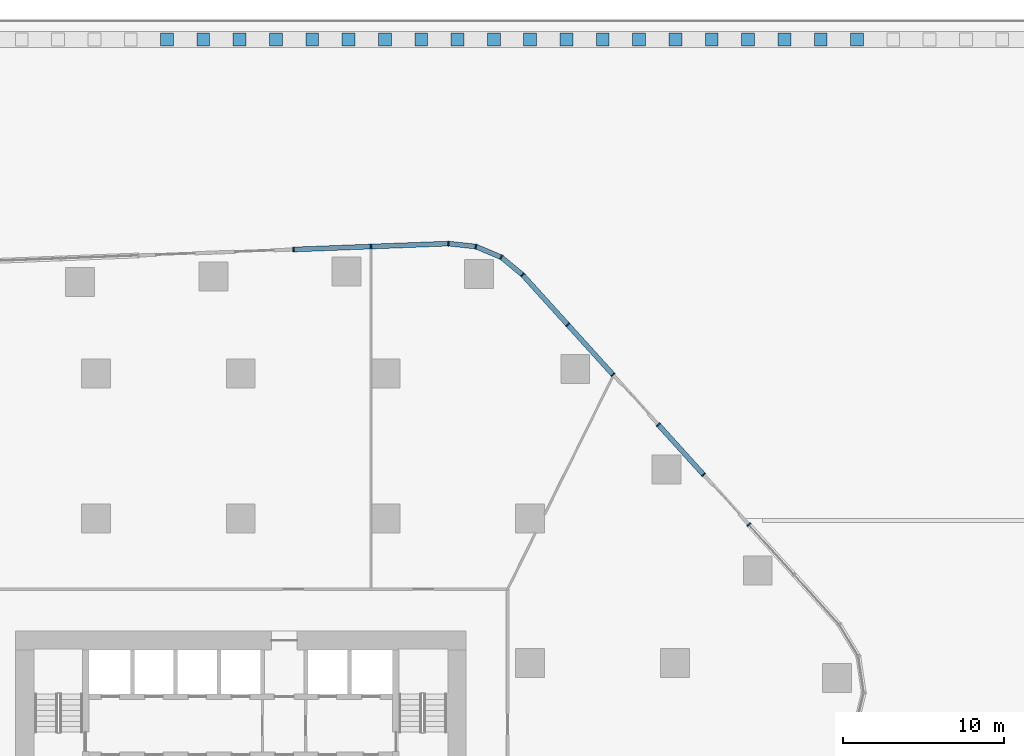
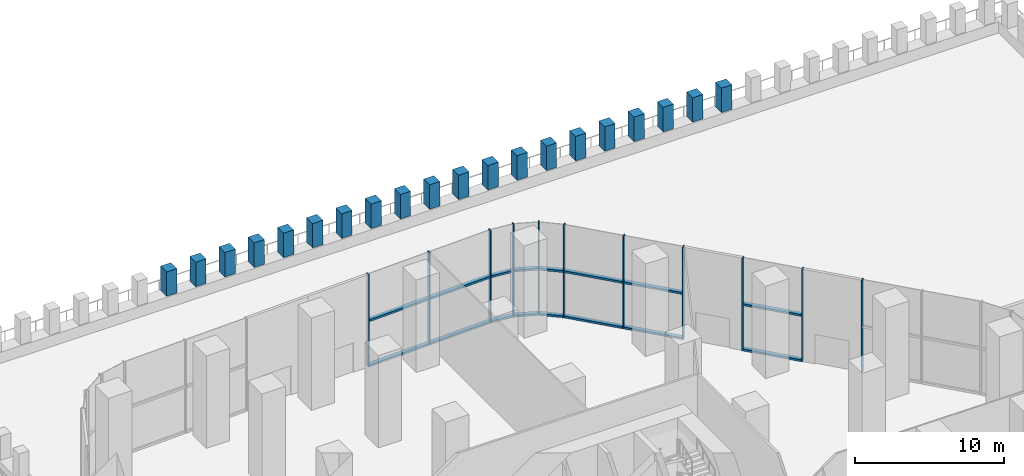
# One storey, part 9 of 22: 47 members, 5 elements without a shape of their own.
"""IFC4 building model written with IfcOpenShell, lengths in metres."""

import ifcopenshell
import ifcopenshell.guid

model = None  # the IFC model being written
_history = None  # IfcOwnerHistory: only IFC2X3 demands one
_inside = {}  # id of a spatial element -> (the spatial element, [elements in it])
_under = {}  # id of a project, library or spatial element -> (it, [spatial elements below it])
_declared = {}  # id of a project -> (the project, [libraries it declares])
_typed = {}  # id of a type object -> (the type object, [elements of that type])
_made_of = {}  # id of a material, layer set ... -> (it, [elements and type objects made of it])


def new_model(schema):
    """Start an empty IFC model of exactly this schema.

    Asked for "IFC4X3", IfcOpenShell would pick the latest addendum, in which some entities
    have other attributes; the version numbers below select the first issue.
    IFC2X3 requires an IfcOwnerHistory on every rooted entity: one is made here for all.
    """
    global model, _history
    if schema == "IFC4X3":
        model = ifcopenshell.file(schema_version=(4, 3, 0, 0))
    else:
        model = ifcopenshell.file(schema=schema)
    _inside.clear()
    _under.clear()
    _declared.clear()
    _typed.clear()
    _made_of.clear()
    _history = None
    if model.schema == "IFC2X3":
        org = make("IfcOrganization", Name="unknown")
        user = make(
            "IfcPersonAndOrganization",
            ThePerson=make("IfcPerson", FamilyName="unknown"),
            TheOrganization=org,
        )
        app = make(
            "IfcApplication",
            ApplicationDeveloper=org,
            Version="unknown",
            ApplicationFullName="unknown",
            ApplicationIdentifier="unknown",
        )
        _history = make(
            "IfcOwnerHistory",
            OwningUser=user,
            OwningApplication=app,
            ChangeAction="ADDED",
            CreationDate=0,
        )
    return model


def make(cls, **values):
    """One entity of the class cls with the attributes given. An attribute that is None is left unset."""
    return model.create_entity(
        cls, **{name: value for name, value in values.items() if value is not None}
    )


def rooted(cls, **values):
    """An entity with a GlobalId (a new one), such as an element, a storey or a relation."""
    return make(cls, GlobalId=ifcopenshell.guid.new(), OwnerHistory=_history, **values)


def si_unit(unit_type, name, prefix=None):
    """IfcSIUnit, for example si_unit("LENGTHUNIT", "METRE", prefix="MILLI")."""
    return make("IfcSIUnit", UnitType=unit_type, Prefix=prefix, Name=name)


def assignment(units):
    """IfcUnitAssignment: the units of a project."""
    return None if units is None else make("IfcUnitAssignment", Units=units)


def point(xyz):
    """IfcCartesianPoint."""
    return None if xyz is None else make("IfcCartesianPoint", Coordinates=xyz)


def direction(xyz):
    """IfcDirection."""
    return None if xyz is None else make("IfcDirection", DirectionRatios=xyz)


def frame(location, z_axis=None, x_axis=None):
    """IfcAxis2Placement3D, a coordinate frame: its origin and axes. An axis left out is left unset."""
    return make(
        "IfcAxis2Placement3D",
        Location=point(location),
        Axis=direction(z_axis),
        RefDirection=direction(x_axis),
    )


def frame_2d(location, x_axis=None):
    """IfcAxis2Placement2D, a coordinate frame in the plane: its origin and x axis."""
    return make(
        "IfcAxis2Placement2D", Location=point(location), RefDirection=direction(x_axis)
    )


def origin():
    """The frame at (0, 0, 0) with its axes left unset."""
    return frame((0.0, 0.0, 0.0))


def origin_2d():
    """The frame at (0, 0) in the plane with its x axis left unset."""
    return frame_2d((0.0, 0.0))


def place(relative_to, where):
    """IfcLocalPlacement: puts the frame where relative to a parent placement (None: the world)."""
    return make(
        "IfcLocalPlacement", PlacementRelTo=relative_to, RelativePlacement=where
    )


def context(
    kind, dimensions, precision=None, world=None, true_north=None, identifier=None
):
    """IfcGeometricRepresentationContext, for example the 3D "Model" context."""
    return make(
        "IfcGeometricRepresentationContext",
        ContextIdentifier=identifier,
        ContextType=kind,
        CoordinateSpaceDimension=dimensions,
        Precision=precision,
        WorldCoordinateSystem=world,
        TrueNorth=true_north,
    )


def subcontext(parent, identifier, kind, view, scale=None):
    """IfcGeometricRepresentationSubContext, for example "Body" below "Model"."""
    return make(
        "IfcGeometricRepresentationSubContext",
        ContextIdentifier=identifier,
        ContextType=kind,
        ParentContext=parent,
        TargetScale=scale,
        TargetView=view,
    )


def project(units=None, contexts=None):
    """IfcProject with its units and contexts."""
    return rooted(
        "IfcProject",
        Name="project",
        RepresentationContexts=contexts,
        UnitsInContext=assignment(units),
    )


def spatial(cls, under=None, at=None, **own):
    """A site, building, storey or space (cls), placed at a placement, below another one or the project."""
    s = rooted(cls, ObjectPlacement=at, **own)
    if under is not None:
        _under.setdefault(under.id(), (under, []))[1].append(s)
    return s


def profile(cls, at=None, kind="AREA", **sizes):
    """A parametric profile (cls). Its sizes go by their IFC names, for example OverallWidth=200.0."""
    return make(cls, ProfileType=kind, Position=at, **sizes)


def rectangle(**sizes):
    """IfcRectangleProfileDef."""
    return profile("IfcRectangleProfileDef", **sizes)


def extrude(swept, where, along, depth):
    """IfcExtrudedAreaSolid: the profile swept, set in the frame where, extruded along a direction by depth."""
    return make(
        "IfcExtrudedAreaSolid",
        SweptArea=swept,
        Position=where,
        ExtrudedDirection=direction(along),
        Depth=depth,
    )


def shape(context_of_items, identifier, shape_type, items):
    """IfcShapeRepresentation: the items that make up one representation, for example the "Body"."""
    return make(
        "IfcShapeRepresentation",
        ContextOfItems=context_of_items,
        RepresentationIdentifier=identifier,
        RepresentationType=shape_type,
        Items=items,
    )


def material(Name=None, Category=None):
    """IfcMaterial."""
    return make("IfcMaterial", Name=Name, Category=Category)


def layer(
    of_material, thickness, ventilated=None, Name=None, Category=None, Priority=None
):
    """IfcMaterialLayer: one layer of a wall or slab, of a material (None: an air gap)."""
    return make(
        "IfcMaterialLayer",
        Material=of_material,
        LayerThickness=thickness,
        IsVentilated=ventilated,
        Name=Name,
        Category=Category,
        Priority=Priority,
    )


def layer_set(layers, Name=None):
    """IfcMaterialLayerSet."""
    return make("IfcMaterialLayerSet", MaterialLayers=layers, LayerSetName=Name)


def material_profile(
    of_material, cross_section, Name=None, Category=None, Priority=None
):
    """IfcMaterialProfile: a cross section and its material."""
    return make(
        "IfcMaterialProfile",
        Name=Name,
        Material=of_material,
        Profile=cross_section,
        Priority=Priority,
        Category=Category,
    )


def profile_set(profiles, Name=None, composite=None):
    """IfcMaterialProfileSet."""
    return make(
        "IfcMaterialProfileSet",
        Name=Name,
        MaterialProfiles=profiles,
        CompositeProfile=composite,
    )


def made_of(thing, what):
    """Note that an element or type object is made of a material, layer set ...; save() writes the relation."""
    if what is not None:
        _made_of.setdefault(what.id(), (what, []))[1].append(thing)
    return thing


def type_object(cls, material=None, **own):
    """A type object (cls), such as IfcWallType, which elements share."""
    return made_of(rooted(cls, **own), material)


def element(
    cls,
    number,
    at=None,
    inside=None,
    cuts=None,
    type_object=None,
    material=None,
    context=None,
    identifier="Body",
    shape_type=None,
    held_by="IfcProductDefinitionShape",
    body=None,
    shapes=None,
    **own,
):
    """One element of the class cls, such as IfcWall. Its Tag is "e" and its number.

    at: its placement. inside: the storey or other place that contains it. cuts: it is an
    opening in that element (IfcRelVoidsElement). A single representation is given by context,
    identifier, shape_type and body (its items); several are given by shapes. held_by: the class
    of the entity that holds the representations. save() writes the other relations.
    """
    e = rooted(cls, Tag="e%d" % number, ObjectPlacement=at, **own)
    if body is not None:
        shapes = [shape(context, identifier, shape_type, body)]
    if shapes is not None:
        e.Representation = make(held_by, Representations=shapes)
    if inside is not None:
        _inside.setdefault(inside.id(), (inside, []))[1].append(e)
    if cuts is not None:
        rooted(
            "IfcRelVoidsElement", RelatingBuildingElement=cuts, RelatedOpeningElement=e
        )
    if type_object is not None:
        _typed.setdefault(type_object.id(), (type_object, []))[1].append(e)
    return made_of(e, material)


def aggregate(whole, parts):
    """IfcRelAggregates: a whole, such as a stair, and the parts it consists of."""
    return rooted("IfcRelAggregates", RelatingObject=whole, RelatedObjects=parts)


def save(model, path):
    """Write the relations noted so far, then the file.

    IfcRelAggregates (storeys below a building ...), IfcRelContainedInSpatialStructure (elements
    in a storey), IfcRelDefinesByType, IfcRelAssociatesMaterial and IfcRelDeclares: one each for
    every whole, place, type object, material and project.
    """
    for whole, parts in _under.values():
        aggregate(whole, parts)
    for where, things in _inside.values():
        rooted(
            "IfcRelContainedInSpatialStructure",
            RelatedElements=things,
            RelatingStructure=where,
        )
    for kind, things in _typed.values():
        rooted("IfcRelDefinesByType", RelatedObjects=things, RelatingType=kind)
    for what, things in _made_of.values():
        rooted("IfcRelAssociatesMaterial", RelatedObjects=things, RelatingMaterial=what)
    for by, libraries in _declared.values():
        rooted("IfcRelDeclares", RelatingContext=by, RelatedDefinitions=libraries)
    model.write(path)


model = new_model("IFC4")

# Units and contexts
model_context = context("Model", 3, precision=1e-05, world=origin(), true_north=direction((0.0, 1.0)))
body_context = subcontext(model_context, "Body", "Model", "MODEL_VIEW")
ifc_project = project(units=[si_unit("LENGTHUNIT", "METRE"), si_unit("AREAUNIT", "SQUARE_METRE"), si_unit("VOLUMEUNIT", "CUBIC_METRE"), si_unit("PLANEANGLEUNIT", "RADIAN"), si_unit("MASSUNIT", "GRAM", prefix="KILO")], contexts=[model_context])

# Site, building, storey
site_placement = place(None, origin())
site = spatial("IfcSite", under=ifc_project, at=site_placement, CompositionType="ELEMENT")
building_placement = place(site_placement, origin())
building = spatial("IfcBuilding", under=site, at=building_placement, Name="Dongbaek Canopy Tower", CompositionType="ELEMENT")
storey_placement = place(building_placement, frame((0.0, 0.0, 19.0)))
storey = spatial("IfcBuildingStorey", under=building, at=storey_placement, Name="L02", CompositionType="ELEMENT", Elevation=19.0)

# Curtain wall, member
ifc_material_1 = material(Name="Aluminium 6063-T6 pale anodised", Category="aluminium")
ifc_layer = layer(ifc_material_1, 0.300048828125)
ifc_layer_set = layer_set([ifc_layer], Name="CW-2 podium hall curtain wall")
curtain_wall_type = type_object("IfcCurtainWallType", Name="CW-2 podium hall curtain wall", PredefinedType="NOTDEFINED", material=ifc_layer_set)
curtain_wall_1_placement = place(storey_placement, origin())
curtain_wall_1 = element("IfcCurtainWall", 1, at=curtain_wall_1_placement, inside=storey, type_object=curtain_wall_type, Name="CW-2 curtain wall F1.1", PredefinedType="NOTDEFINED")
ifc_material_2 = material(Name="Aluminium 6063-T6 pale anodised", Category="aluminium")
ifc_material_profile_1 = material_profile(ifc_material_2, rectangle(XDim=0.300048828125, YDim=0.080078125, at=origin_2d()), Name="CW-2 mullion 80 x 300")
ifc_profile_set_1 = profile_set([ifc_material_profile_1], Name="Aluminium 6063-T6 pale anodised")
member_type_1 = type_object("IfcMemberType", Name="CW-2 mullion 80 x 300", PredefinedType="MULLION", material=ifc_profile_set_1)
member_1_placement = place(storey_placement, frame((31.6015625, 17.609619140625, 0.0), z_axis=(0.0, 0.0, 1.0), x_axis=(0.741222236547, 0.671259708345, 0.0)))
member_1 = element("IfcMember", 2, at=member_1_placement, type_object=member_type_1, Name="CW-2 mullion F1.1.3", PredefinedType="MULLION", context=body_context, shape_type="SweptSolid", body=[
    extrude(rectangle(XDim=0.300048828125, YDim=0.080078125, at=origin_2d()), origin(), (0.0, 0.0, 1.0), 7.550048828125),
])
aggregate(curtain_wall_1, [member_1])

# Curtain wall, members
curtain_wall_2_placement = place(storey_placement, origin())
curtain_wall_2 = element("IfcCurtainWall", 3, at=curtain_wall_2_placement, inside=storey, type_object=curtain_wall_type, Name="CW-2 curtain wall F1.2", PredefinedType="NOTDEFINED")
member_2_placement = place(storey_placement, frame((28.78564453125, 20.718994140625, 0.0), z_axis=(0.0, 0.0, 1.0), x_axis=(0.741222236547, 0.671259708345, 0.0)))
member_2 = element("IfcMember", 4, at=member_2_placement, type_object=member_type_1, Name="CW-2 mullion F1.2.1", PredefinedType="MULLION", context=body_context, shape_type="SweptSolid", body=[
    extrude(rectangle(XDim=0.300048828125, YDim=0.080078125, at=origin_2d()), origin(), (0.0, 0.0, 1.0), 7.550048828125),
])
member_3_placement = place(storey_placement, frame((25.969482421875, 23.82861328125, 0.0), z_axis=(0.0, 0.0, 1.0), x_axis=(0.741222236547, 0.671259708345, 0.0)))
member_3 = element("IfcMember", 5, at=member_3_placement, type_object=member_type_1, Name="CW-2 mullion F1.2.2", PredefinedType="MULLION", context=body_context, shape_type="SweptSolid", body=[
    extrude(rectangle(XDim=0.300048828125, YDim=0.080078125, at=origin_2d()), origin(), (0.0, 0.0, 1.0), 7.550048828125),
])

curtain_wall_3_placement = place(storey_placement, origin())
curtain_wall_3 = element("IfcCurtainWall", 6, at=curtain_wall_3_placement, inside=storey, type_object=curtain_wall_type, Name="CW-2 curtain wall F1.3", PredefinedType="NOTDEFINED")
member_4_placement = place(storey_placement, frame((23.153564453125, 26.938232421875, 0.0), z_axis=(0.0, 0.0, 1.0), x_axis=(0.741222236547, 0.671259708345, 0.0)))
member_4 = element("IfcMember", 7, at=member_4_placement, type_object=member_type_1, Name="CW-2 mullion F1.3.1", PredefinedType="MULLION", context=body_context, shape_type="SweptSolid", body=[
    extrude(rectangle(XDim=0.300048828125, YDim=0.080078125, at=origin_2d()), origin(), (0.0, 0.0, 1.0), 7.550048828125),
])
member_5_placement = place(storey_placement, frame((20.33740234375, 30.047607421875, 0.0), z_axis=(0.0, 0.0, 1.0), x_axis=(0.741222236547, 0.671259708345, 0.0)))
member_5 = element("IfcMember", 8, at=member_5_placement, type_object=member_type_1, Name="CW-2 mullion F1.3.2", PredefinedType="MULLION", context=body_context, shape_type="SweptSolid", body=[
    extrude(rectangle(XDim=0.300048828125, YDim=0.080078125, at=origin_2d()), origin(), (0.0, 0.0, 1.0), 7.550048828125),
])
member_6_placement = place(storey_placement, frame((17.5263671875, 33.15185546875, 0.0), z_axis=(0.0, 0.0, 1.0), x_axis=(0.741222236547, 0.671259708345, 0.0)))
member_6 = element("IfcMember", 9, at=member_6_placement, type_object=member_type_1, Name="CW-2 mullion F1.3.3", PredefinedType="MULLION", context=body_context, shape_type="SweptSolid", body=[
    extrude(rectangle(XDim=0.300048828125, YDim=0.080078125, at=origin_2d()), origin(), (0.0, 0.0, 1.0), 7.550048828125),
])

curtain_wall_4_placement = place(storey_placement, origin())
curtain_wall_4 = element("IfcCurtainWall", 10, at=curtain_wall_4_placement, inside=storey, type_object=curtain_wall_type, Name="CW-2 curtain wall K2.1", PredefinedType="NOTDEFINED")
member_7_placement = place(storey_placement, frame((16.200439453125, 34.24462890625, 0.0), z_axis=(0.0, 0.0, 1.0), x_axis=(0.517430788753, 0.855725060315, 0.0)))
member_7 = element("IfcMember", 11, at=member_7_placement, type_object=member_type_1, Name="CW-2 mullion K2.1.2", PredefinedType="MULLION", context=body_context, shape_type="SweptSolid", body=[
    extrude(rectangle(XDim=0.300048828125, YDim=0.080078125, at=origin_2d()), origin(), (0.0, 0.0, 1.0), 7.550048828125),
])
member_8_placement = place(storey_placement, frame((14.62353515625, 34.908203125, 0.0), z_axis=(0.0, 0.0, 1.0), x_axis=(0.250118115276, 0.968215331634, 0.0)))
member_8 = element("IfcMember", 12, at=member_8_placement, type_object=member_type_1, Name="CW-2 mullion K2.1.3", PredefinedType="MULLION", context=body_context, shape_type="SweptSolid", body=[
    extrude(rectangle(XDim=0.300048828125, YDim=0.080078125, at=origin_2d()), origin(), (0.0, 0.0, 1.0), 7.550048828125),
])
member_9_placement = place(storey_placement, frame((12.915283203125, 35.092041015625, 0.0), z_axis=(0.0, 0.0, 1.0), x_axis=(0.107074580622, 0.994250991543, 0.0)))
member_9 = element("IfcMember", 13, at=member_9_placement, type_object=member_type_1, Name="CW-2 mullion K2.1.4", PredefinedType="MULLION", context=body_context, shape_type="SweptSolid", body=[
    extrude(rectangle(XDim=0.300048828125, YDim=0.080078125, at=origin_2d()), origin(), (0.0, 0.0, 1.0), 7.550048828125),
])

curtain_wall_5_placement = place(storey_placement, origin())
curtain_wall_5 = element("IfcCurtainWall", 14, at=curtain_wall_5_placement, inside=storey, type_object=curtain_wall_type, Name="CW-2 curtain wall F2.1", PredefinedType="NOTDEFINED")
member_10_placement = place(storey_placement, frame((8.0986328125, 34.907958984375, 0.0), z_axis=(0.0, 0.0, 1.0), x_axis=(-0.038231975991, 0.999268890746, 0.0)))
member_10 = element("IfcMember", 15, at=member_10_placement, type_object=member_type_1, Name="CW-2 mullion F2.1.2", PredefinedType="MULLION", context=body_context, shape_type="SweptSolid", body=[
    extrude(rectangle(XDim=0.300048828125, YDim=0.080078125, at=origin_2d()), origin(), (0.0, 0.0, 1.0), 7.550048828125),
])
member_11_placement = place(storey_placement, frame((3.27490234375, 34.723388671875, 0.0), z_axis=(0.0, 0.0, 1.0), x_axis=(-0.038231975991, 0.999268890746, 0.0)))
member_11 = element("IfcMember", 16, at=member_11_placement, type_object=member_type_1, Name="CW-2 mullion F2.1.3", PredefinedType="MULLION", context=body_context, shape_type="SweptSolid", body=[
    extrude(rectangle(XDim=0.300048828125, YDim=0.080078125, at=origin_2d()), origin(), (0.0, 0.0, 1.0), 7.550048828125),
])

# Member
ifc_material_3 = material(Name="Aluminium 6063-T6 pale anodised", Category="aluminium")
ifc_material_profile_2 = material_profile(ifc_material_3, rectangle(XDim=0.300048828125, YDim=0.159912109375, at=origin_2d()), Name="CW-2 transom 160 x 300")
ifc_profile_set_2 = profile_set([ifc_material_profile_2], Name="Aluminium 6063-T6 pale anodised")
member_type_2 = type_object("IfcMemberType", Name="CW-2 transom 160 x 300", PredefinedType="USERDEFINED", material=ifc_profile_set_2)
member_12_placement = place(storey_placement, frame((28.750732421875, 20.757568359375, 0.080078125), z_axis=(-0.671272628387, 0.741210535798, 0.0), x_axis=(-0.741210535798, -0.671272628387, 0.0)))
member_12 = element("IfcMember", 17, at=member_12_placement, type_object=member_type_2, Name="CW-2 transom F1.2.1.1", ObjectType="TRANSOM", PredefinedType="USERDEFINED", context=body_context, shape_type="SweptSolid", body=[
    extrude(rectangle(XDim=0.300048828125, YDim=0.159912109375, at=origin_2d()), origin(), (0.0, 0.0, 1.0), 4.09130859375),
])

member_13_placement = place(storey_placement, frame((28.750732421875, 20.757568359375, 3.77490234375), z_axis=(-0.671272628387, 0.741210535798, 0.0), x_axis=(-0.741210535798, -0.671272628387, 0.0)))
member_13 = element("IfcMember", 18, at=member_13_placement, type_object=member_type_2, Name="CW-2 transom F1.2.1.2", ObjectType="TRANSOM", PredefinedType="USERDEFINED", context=body_context, shape_type="SweptSolid", body=[
    extrude(rectangle(XDim=0.300048828125, YDim=0.159912109375, at=origin_2d()), origin(), (0.0, 0.0, 1.0), 4.09130859375),
])

aggregate(curtain_wall_2, [member_2, member_3, member_12, member_13])

member_14_placement = place(storey_placement, frame((23.11865234375, 26.9765625, 0.080078125), z_axis=(-0.671272628387, 0.741210535798, 0.0), x_axis=(-0.741210535798, -0.671272628387, 0.0)))
member_14 = element("IfcMember", 19, at=member_14_placement, type_object=member_type_2, Name="CW-2 transom F1.3.1.1", ObjectType="TRANSOM", PredefinedType="USERDEFINED", context=body_context, shape_type="SweptSolid", body=[
    extrude(rectangle(XDim=0.300048828125, YDim=0.159912109375, at=origin_2d()), origin(), (0.0, 0.0, 1.0), 4.09130859375),
])

member_15_placement = place(storey_placement, frame((23.11865234375, 26.9765625, 3.77490234375), z_axis=(-0.671272628387, 0.741210535798, 0.0), x_axis=(-0.741210535798, -0.671272628387, 0.0)))
member_15 = element("IfcMember", 20, at=member_15_placement, type_object=member_type_2, Name="CW-2 transom F1.3.1.2", ObjectType="TRANSOM", PredefinedType="USERDEFINED", context=body_context, shape_type="SweptSolid", body=[
    extrude(rectangle(XDim=0.300048828125, YDim=0.159912109375, at=origin_2d()), origin(), (0.0, 0.0, 1.0), 4.09130859375),
])

member_16_placement = place(storey_placement, frame((20.302490234375, 30.086181640625, 0.080078125), z_axis=(-0.671237292693, 0.741242535813, 0.0), x_axis=(-0.741242535813, -0.671237292693, 0.0)))
member_16 = element("IfcMember", 21, at=member_16_placement, type_object=member_type_2, Name="CW-2 transom F1.3.2.1", ObjectType="TRANSOM", PredefinedType="USERDEFINED", context=body_context, shape_type="SweptSolid", body=[
    extrude(rectangle(XDim=0.300048828125, YDim=0.159912109375, at=origin_2d()), origin(), (0.0, 0.0, 1.0), 4.083740234375),
])

member_17_placement = place(storey_placement, frame((20.302490234375, 30.086181640625, 3.77490234375), z_axis=(-0.671237292693, 0.741242535813, 0.0), x_axis=(-0.741242535813, -0.671237292693, 0.0)))
member_17 = element("IfcMember", 22, at=member_17_placement, type_object=member_type_2, Name="CW-2 transom F1.3.2.2", ObjectType="TRANSOM", PredefinedType="USERDEFINED", context=body_context, shape_type="SweptSolid", body=[
    extrude(rectangle(XDim=0.300048828125, YDim=0.159912109375, at=origin_2d()), origin(), (0.0, 0.0, 1.0), 4.083740234375),
])

aggregate(curtain_wall_3, [member_4, member_5, member_6, member_14, member_15, member_16, member_17])

member_18_placement = place(storey_placement, frame((17.486083984375, 33.184814453125, 0.080078125), z_axis=(-0.77162012157, 0.636083632857, 0.0), x_axis=(-0.636083632857, -0.77162012157, 0.0)))
member_18 = element("IfcMember", 23, at=member_18_placement, type_object=member_type_2, Name="CW-2 transom K2.1.1.1", ObjectType="TRANSOM", PredefinedType="USERDEFINED", context=body_context, shape_type="SweptSolid", body=[
    extrude(rectangle(XDim=0.300048828125, YDim=0.159912109375, at=origin_2d()), origin(), (0.0, 0.0, 1.0), 1.614013671875),
])

member_19_placement = place(storey_placement, frame((17.486083984375, 33.184814453125, 3.77490234375), z_axis=(-0.77162012157, 0.636083632857, 0.0), x_axis=(-0.636083632857, -0.77162012157, 0.0)))
member_19 = element("IfcMember", 24, at=member_19_placement, type_object=member_type_2, Name="CW-2 transom K2.1.1.2", ObjectType="TRANSOM", PredefinedType="USERDEFINED", context=body_context, shape_type="SweptSolid", body=[
    extrude(rectangle(XDim=0.300048828125, YDim=0.159912109375, at=origin_2d()), origin(), (0.0, 0.0, 1.0), 1.614013671875),
])

member_20_placement = place(storey_placement, frame((16.152587890625, 34.264892578125, 0.080078125), z_axis=(-0.921749747105, 0.387785254634, 0.0), x_axis=(-0.387785254634, -0.921749747105, 0.0)))
member_20 = element("IfcMember", 25, at=member_20_placement, type_object=member_type_2, Name="CW-2 transom K2.1.2.1", ObjectType="TRANSOM", PredefinedType="USERDEFINED", context=body_context, shape_type="SweptSolid", body=[
    extrude(rectangle(XDim=0.300048828125, YDim=0.159912109375, at=origin_2d()), origin(), (0.0, 0.0, 1.0), 1.606689453125),
])

member_21_placement = place(storey_placement, frame((16.152587890625, 34.264892578125, 3.77490234375), z_axis=(-0.921749747105, 0.387785254634, 0.0), x_axis=(-0.387785254634, -0.921749747105, 0.0)))
member_21 = element("IfcMember", 26, at=member_21_placement, type_object=member_type_2, Name="CW-2 transom K2.1.2.2", ObjectType="TRANSOM", PredefinedType="USERDEFINED", context=body_context, shape_type="SweptSolid", body=[
    extrude(rectangle(XDim=0.300048828125, YDim=0.159912109375, at=origin_2d()), origin(), (0.0, 0.0, 1.0), 1.606689453125),
])

member_22_placement = place(storey_placement, frame((14.572021484375, 34.913818359375, 0.080078125), z_axis=(-0.994250644842, 0.107077799901, 0.0), x_axis=(-0.107077799901, -0.994250644842, 0.0)))
member_22 = element("IfcMember", 27, at=member_22_placement, type_object=member_type_2, Name="CW-2 transom K2.1.3.1", ObjectType="TRANSOM", PredefinedType="USERDEFINED", context=body_context, shape_type="SweptSolid", body=[
    extrude(rectangle(XDim=0.300048828125, YDim=0.159912109375, at=origin_2d()), origin(), (0.0, 0.0, 1.0), 1.6142578125),
])

member_23_placement = place(storey_placement, frame((14.572021484375, 34.913818359375, 3.77490234375), z_axis=(-0.994250644842, 0.107077799901, 0.0), x_axis=(-0.107077799901, -0.994250644842, 0.0)))
member_23 = element("IfcMember", 28, at=member_23_placement, type_object=member_type_2, Name="CW-2 transom K2.1.3.2", ObjectType="TRANSOM", PredefinedType="USERDEFINED", context=body_context, shape_type="SweptSolid", body=[
    extrude(rectangle(XDim=0.300048828125, YDim=0.159912109375, at=origin_2d()), origin(), (0.0, 0.0, 1.0), 1.6142578125),
])

aggregate(curtain_wall_4, [member_7, member_8, member_9, member_18, member_19, member_20, member_21, member_22, member_23])

member_24_placement = place(storey_placement, frame((12.86328125, 35.090087890625, 0.080078125), z_axis=(-0.999269942085, -0.038204487243, 0.0), x_axis=(0.038204487243, -0.999269942085, 0.0)))
member_24 = element("IfcMember", 29, at=member_24_placement, type_object=member_type_2, Name="CW-2 transom F2.1.1.1", ObjectType="TRANSOM", PredefinedType="USERDEFINED", context=body_context, shape_type="SweptSolid", body=[
    extrude(rectangle(XDim=0.300048828125, YDim=0.159912109375, at=origin_2d()), origin(), (0.0, 0.0, 1.0), 4.716064453125),
])

member_25_placement = place(storey_placement, frame((12.86328125, 35.090087890625, 3.77490234375), z_axis=(-0.999269942085, -0.038204487243, 0.0), x_axis=(0.038204487243, -0.999269942085, 0.0)))
member_25 = element("IfcMember", 30, at=member_25_placement, type_object=member_type_2, Name="CW-2 transom F2.1.1.2", ObjectType="TRANSOM", PredefinedType="USERDEFINED", context=body_context, shape_type="SweptSolid", body=[
    extrude(rectangle(XDim=0.300048828125, YDim=0.159912109375, at=origin_2d()), origin(), (0.0, 0.0, 1.0), 4.716064453125),
])

member_26_placement = place(storey_placement, frame((8.046875, 34.906005859375, 0.080078125), z_axis=(-0.999268257886, -0.038248513466, 0.0), x_axis=(0.038248513466, -0.999268257886, 0.0)))
member_26 = element("IfcMember", 31, at=member_26_placement, type_object=member_type_2, Name="CW-2 transom F2.1.2.1", ObjectType="TRANSOM", PredefinedType="USERDEFINED", context=body_context, shape_type="SweptSolid", body=[
    extrude(rectangle(XDim=0.300048828125, YDim=0.159912109375, at=origin_2d()), origin(), (0.0, 0.0, 1.0), 4.723388671875),
])

member_27_placement = place(storey_placement, frame((8.046875, 34.906005859375, 3.77490234375), z_axis=(-0.999268257886, -0.038248513466, 0.0), x_axis=(0.038248513466, -0.999268257886, 0.0)))
member_27 = element("IfcMember", 32, at=member_27_placement, type_object=member_type_2, Name="CW-2 transom F2.1.2.2", ObjectType="TRANSOM", PredefinedType="USERDEFINED", context=body_context, shape_type="SweptSolid", body=[
    extrude(rectangle(XDim=0.300048828125, YDim=0.159912109375, at=origin_2d()), origin(), (0.0, 0.0, 1.0), 4.723388671875),
])

aggregate(curtain_wall_5, [member_10, member_11, member_24, member_25, member_26, member_27])

# Members
ifc_material_4 = material(Name="Concrete C40/50 planter mass with planting", Category="concrete")
ifc_material_profile_3 = material_profile(ifc_material_4, rectangle(XDim=0.800048828125, YDim=0.800048828125, at=origin_2d()), Name="Shrub planting 800 x 800 x 2000")
ifc_profile_set_3 = profile_set([ifc_material_profile_3], Name="Concrete C40/50 planter mass with planting")
member_type_3 = type_object("IfcMemberType", Name="Shrub planting 800 x 800 x 2000", PredefinedType="USERDEFINED", material=ifc_profile_set_3)
for number, where, z_axis, x_axis, name in (
    (33, (-4.589111328125, 47.7890625, 0.89990234375), (0.0, 0.0, 1.0), (1.0, 0.0, 0.0), "Podium shrub planting 15"),
    (34, (-2.330322265625, 47.7890625, 0.89990234375), (0.0, 0.0, 1.0), (1.0, 0.0, 0.0), "Podium shrub planting 16"),
    (35, (-0.0712890625, 47.788818359375, 0.89990234375), (0.0, 0.0, 1.0), (1.0, 0.0, 0.0), "Podium shrub planting 17"),
    (36, (2.1875, 47.788818359375, 0.89990234375), (0.0, 0.0, 1.0), (1.0, 0.0, 0.0), "Podium shrub planting 18"),
    (37, (4.446533203125, 47.788818359375, 0.89990234375), (0.0, 0.0, 1.0), (1.0, 0.0, 0.0), "Podium shrub planting 19"),
    (38, (6.705322265625, 47.78857421875, 0.89990234375), (0.0, 0.0, 1.0), (1.0, 0.0, 0.0), "Podium shrub planting 20"),
    (39, (8.96435546875, 47.78857421875, 0.89990234375), (0.0, 0.0, 1.0), (1.0, 0.0, 0.0), "Podium shrub planting 21"),
    (40, (11.22314453125, 47.788330078125, 0.89990234375), (0.0, 0.0, 1.0), (1.0, 0.0, 0.0), "Podium shrub planting 22"),
    (41, (13.482177734375, 47.788330078125, 0.89990234375), (0.0, 0.0, 1.0), (1.0, 0.0, 0.0), "Podium shrub planting 23"),
    (42, (15.740966796875, 47.7880859375, 0.89990234375), (0.0, 0.0, 1.0), (1.0, 0.0, 0.0), "Podium shrub planting 24"),
    (43, (18.0, 47.7880859375, 0.89990234375), (0.0, 0.0, 1.0), (1.0, 0.0, 0.0), "Podium shrub planting 25"),
    (44, (20.2587890625, 47.7880859375, 0.89990234375), (0.0, 0.0, 1.0), (1.0, 0.0, 0.0), "Podium shrub planting 26"),
    (45, (22.517822265625, 47.787841796875, 0.89990234375), (0.0, 0.0, 1.0), (1.0, 0.0, 0.0), "Podium shrub planting 27"),
    (46, (24.776611328125, 47.787841796875, 0.89990234375), (0.0, 0.0, 1.0), (1.0, 0.0, 0.0), "Podium shrub planting 28"),
    (47, (27.03564453125, 47.78759765625, 0.89990234375), (0.0, 0.0, 1.0), (1.0, 0.0, 0.0), "Podium shrub planting 29"),
    (48, (29.29443359375, 47.78759765625, 0.89990234375), (0.0, 0.0, 1.0), (1.0, 0.0, 0.0), "Podium shrub planting 30"),
    (49, (31.553466796875, 47.78759765625, 0.89990234375), (0.0, 0.0, 1.0), (1.0, 0.0, 0.0), "Podium shrub planting 31"),
    (50, (33.812255859375, 47.787353515625, 0.89990234375), (0.0, 0.0, 1.0), (1.0, 0.0, 0.0), "Podium shrub planting 32"),
    (51, (36.0712890625, 47.787353515625, 0.89990234375), (0.0, 0.0, 1.0), (1.0, 0.0, 0.0), "Podium shrub planting 33"),
    (52, (38.330078125, 47.787109375, 0.89990234375), (0.0, 0.0, 1.0), (1.0, 0.0, 0.0), "Podium shrub planting 34"),
):
    element("IfcMember", number, at=place(storey_placement, frame(where, z_axis=z_axis, x_axis=x_axis)), inside=storey, type_object=member_type_3, Name=name, ObjectType="PLANTING", PredefinedType="USERDEFINED", context=body_context, shape_type="SweptSolid", body=[
        extrude(rectangle(XDim=0.800048828125, YDim=0.800048828125, at=origin_2d()), origin(), (0.0, 0.0, 1.0), 2.0),
    ])

save(model, "model.ifc")
